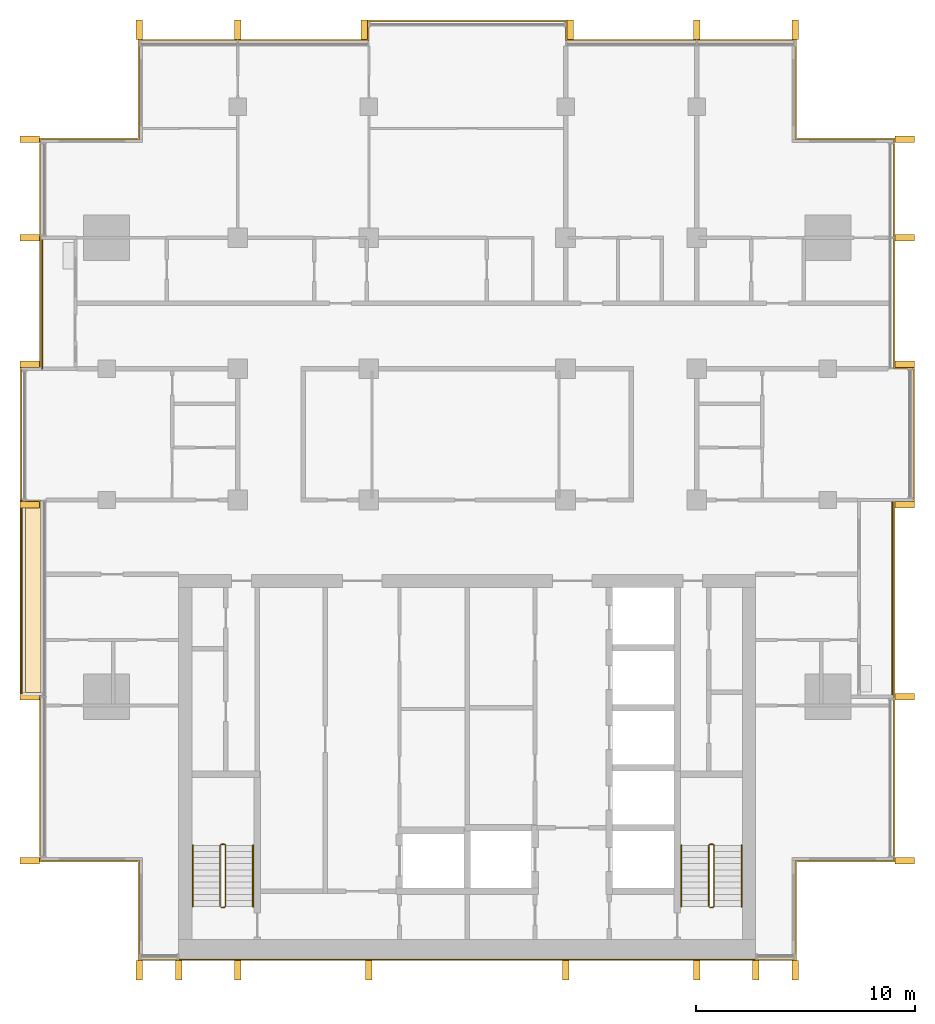
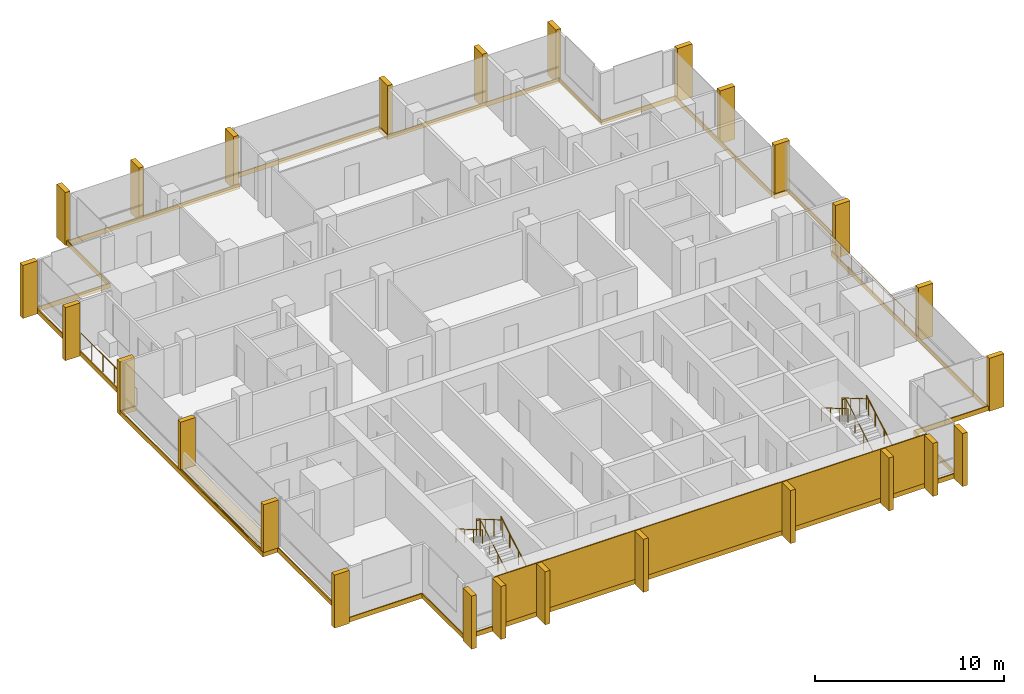
# One storey, part 16 of 16: 26 shading devices, 8 coverings, 8 railings.
"""IFC4 building model written with IfcOpenShell, lengths in metres."""

from ifc_helpers import new_model, si_unit, direction, frame, origin, origin_2d, place, context, subcontext, project, spatial, polyline, rectangle, circle, outline, extrude, material, layer, layer_set, type_object, element, save


model = new_model("IFC4")

# Units and contexts
model_context = context("Model", 3, precision=1e-05, world=origin(), true_north=direction((0.0, 1.0)))
body_context = subcontext(model_context, "Body", "Model", "MODEL_VIEW")
ifc_project = project(units=[si_unit("LENGTHUNIT", "METRE"), si_unit("AREAUNIT", "SQUARE_METRE"), si_unit("VOLUMEUNIT", "CUBIC_METRE"), si_unit("PLANEANGLEUNIT", "RADIAN"), si_unit("MASSUNIT", "GRAM", prefix="KILO")], contexts=[model_context])

# Site, building, storey
site_placement = place(None, origin())
site = spatial("IfcSite", under=ifc_project, at=site_placement, CompositionType="ELEMENT")
building_placement = place(site_placement, origin())
building = spatial("IfcBuilding", under=site, at=building_placement, Name="Finial Court Residences", CompositionType="ELEMENT")
storey_placement = place(building_placement, frame((0.0, 0.0, 244.699951171875)))
storey = spatial("IfcBuildingStorey", under=building, at=storey_placement, Name="L62", CompositionType="ELEMENT", Elevation=244.699951171875)

# Railings
ifc_material_1 = material(Name="Bronze anodised aluminium", Category="aluminium")
railing_type_1 = type_object("IfcRailingType", Name="Balcony guard 1100", PredefinedType="GUARDRAIL", material=ifc_material_1)
railing_1_placement = place(storey_placement, frame((19.449951171875, -13.5, 0.0)))
element("IfcRailing", 1, at=railing_1_placement, inside=storey, type_object=railing_type_1, Name="E-L62-BALE2-R", PredefinedType="GUARDRAIL", context=body_context, shape_type="SweptSolid", body=[
    extrude(circle(Radius=0.02392578125, at=origin_2d()), frame((0.0, 0.0, 1.076171875), z_axis=(0.0, 1.0, 0.0), x_axis=(-1.0, 0.0, 0.0)), (0.0, 0.0, 1.0), 9.0),
    extrude(circle(Radius=0.02099609375, at=origin_2d()), origin(), (0.0, 0.0, 1.0), 1.052001953125),
    extrude(circle(Radius=0.02099609375, at=origin_2d()), frame((0.0, 1.125, 0.0)), (0.0, 0.0, 1.0), 1.052001953125),
    extrude(circle(Radius=0.02099609375, at=origin_2d()), frame((0.0, 2.25, 0.0)), (0.0, 0.0, 1.0), 1.052001953125),
    extrude(circle(Radius=0.02099609375, at=origin_2d()), frame((0.0, 3.375, 0.0)), (0.0, 0.0, 1.0), 1.052001953125),
    extrude(circle(Radius=0.02099609375, at=origin_2d()), frame((0.0, 4.5, 0.0)), (0.0, 0.0, 1.0), 1.052001953125),
    extrude(circle(Radius=0.02099609375, at=origin_2d()), frame((0.0, 5.625, 0.0)), (0.0, 0.0, 1.0), 1.052001953125),
    extrude(circle(Radius=0.02099609375, at=origin_2d()), frame((0.0, 6.75, 0.0)), (0.0, 0.0, 1.0), 1.052001953125),
    extrude(circle(Radius=0.02099609375, at=origin_2d()), frame((0.0, 7.875, 0.0)), (0.0, 0.0, 1.0), 1.052001953125),
    extrude(circle(Radius=0.02099609375, at=origin_2d()), frame((0.0, 9.0, 0.0)), (0.0, 0.0, 1.0), 1.052001953125),
])
railing_2_placement = place(storey_placement, frame((-19.449951171875, 1.5, 0.0)))
element("IfcRailing", 2, at=railing_2_placement, inside=storey, type_object=railing_type_1, Name="E-L62-BALW4-R", PredefinedType="GUARDRAIL", context=body_context, shape_type="SweptSolid", body=[
    extrude(circle(Radius=0.02392578125, at=origin_2d()), frame((0.0, 0.0, 1.076171875), z_axis=(0.0, 1.0, 0.0), x_axis=(-1.0, 0.0, 0.0)), (0.0, 0.0, 1.0), 6.0),
    extrude(circle(Radius=0.02099609375, at=origin_2d()), origin(), (0.0, 0.0, 1.0), 1.052001953125),
    extrude(circle(Radius=0.02099609375, at=origin_2d()), frame((0.0, 1.199951171875, 0.0)), (0.0, 0.0, 1.0), 1.052001953125),
    extrude(circle(Radius=0.02099609375, at=origin_2d()), frame((0.0, 2.39990234375, 0.0)), (0.0, 0.0, 1.0), 1.052001953125),
    extrude(circle(Radius=0.02099609375, at=origin_2d()), frame((0.0, 3.60009765625, 0.0)), (0.0, 0.0, 1.0), 1.052001953125),
    extrude(circle(Radius=0.02099609375, at=origin_2d()), frame((0.0, 4.800048828125, 0.0)), (0.0, 0.0, 1.0), 1.052001953125),
    extrude(circle(Radius=0.02099609375, at=origin_2d()), frame((0.0, 6.0, 0.0)), (0.0, 0.0, 1.0), 1.052001953125),
])

# Coverings
ifc_material_2 = material(Name="Natural limestone", Category="masonry")
ifc_layer_1 = layer(ifc_material_2, 0.06005859375)
ifc_layer_set_1 = layer_set([ifc_layer_1], Name="Limestone cladding to the blind core face 60")
covering_type_1 = type_object("IfcCoveringType", Name="Limestone cladding to the blind core face 60", PredefinedType="CLADDING", material=ifc_layer_set_1)
covering_1_placement = place(storey_placement, origin())
element("IfcCovering", 3, at=covering_1_placement, inside=storey, type_object=covering_type_1, Name="E-L62-CLAD1", PredefinedType="CLADDING", context=body_context, shape_type="SweptSolid", body=[
    extrude(outline(polyline([(-10.5, -25.56005859375), (-10.5, -25.5), (-13.199951171875, -25.5), (-13.199951171875, -25.56005859375), (-10.5, -25.56005859375)])), origin(), (0.0, 0.0, 1.0), 3.150146484375),
])
covering_2_placement = place(storey_placement, origin())
element("IfcCovering", 4, at=covering_2_placement, inside=storey, type_object=covering_type_1, Name="E-L62-CLAD2", PredefinedType="CLADDING", context=body_context, shape_type="SweptSolid", body=[
    extrude(outline(polyline([(-4.5, -25.56005859375), (-4.5, -25.5), (-10.5, -25.5), (-10.5, -25.56005859375), (-4.5, -25.56005859375)])), origin(), (0.0, 0.0, 1.0), 3.150146484375),
])
covering_3_placement = place(storey_placement, origin())
element("IfcCovering", 5, at=covering_3_placement, inside=storey, type_object=covering_type_1, Name="E-L62-CLAD3", PredefinedType="CLADDING", context=body_context, shape_type="SweptSolid", body=[
    extrude(outline(polyline([(4.5, -25.56005859375), (4.5, -25.5), (-4.5, -25.5), (-4.5, -25.56005859375), (4.5, -25.56005859375)])), origin(), (0.0, 0.0, 1.0), 3.150146484375),
])
covering_4_placement = place(storey_placement, origin())
element("IfcCovering", 6, at=covering_4_placement, inside=storey, type_object=covering_type_1, Name="E-L62-CLAD4", PredefinedType="CLADDING", context=body_context, shape_type="SweptSolid", body=[
    extrude(outline(polyline([(10.5, -25.56005859375), (10.5, -25.5), (4.5, -25.5), (4.5, -25.56005859375), (10.5, -25.56005859375)])), origin(), (0.0, 0.0, 1.0), 3.150146484375),
])
covering_5_placement = place(storey_placement, origin())
element("IfcCovering", 7, at=covering_5_placement, inside=storey, type_object=covering_type_1, Name="E-L62-CLAD5", PredefinedType="CLADDING", context=body_context, shape_type="SweptSolid", body=[
    extrude(outline(polyline([(13.199951171875, -25.56005859375), (13.199951171875, -25.5), (10.5, -25.5), (10.5, -25.56005859375), (13.199951171875, -25.56005859375)])), origin(), (0.0, 0.0, 1.0), 3.150146484375),
])

# Shading devices
shading_device_type = type_object("IfcShadingDeviceType", Name="Limestone fin 300 x 900", PredefinedType="USERDEFINED", material=ifc_material_2)
for number, where, z_axis, x_axis, name in (
    (8, (-15.0, 17.010009765625, -0.2998046875), (0.0, 0.0, 1.0), (1.0, 0.0, 0.0), "E-L62-FIN-N1"),
    (9, (-10.5, 17.010009765625, -0.2998046875), (0.0, 0.0, 1.0), (1.0, 0.0, 0.0), "E-L62-FIN-N2"),
    (10, (-4.7099609375, 17.010009765625, -0.2998046875), (0.0, 0.0, 1.0), (1.0, 0.0, 0.0), "E-L62-FIN-N3"),
    (11, (4.7099609375, 17.010009765625, -0.2998046875), (0.0, 0.0, 1.0), (1.0, 0.0, 0.0), "E-L62-FIN-N4"),
    (12, (10.5, 17.010009765625, -0.2998046875), (0.0, 0.0, 1.0), (1.0, 0.0, 0.0), "E-L62-FIN-N5"),
    (13, (15.0, 17.010009765625, -0.2998046875), (0.0, 0.0, 1.0), (1.0, 0.0, 0.0), "E-L62-FIN-N6"),
):
    element("IfcShadingDevice", number, at=place(storey_placement, frame(where, z_axis=z_axis, x_axis=x_axis)), inside=storey, type_object=shading_device_type, Name=name, ObjectType="FIN", PredefinedType="USERDEFINED", context=body_context, shape_type="SweptSolid", body=[
        extrude(rectangle(XDim=0.300048828125, YDim=0.89990234375, at=origin_2d()), origin(), (0.0, 0.0, 1.0), 3.429931640625),
    ])
for number, where, z_axis, x_axis, name in (
    (14, (20.010009765625, -21.0, -0.2998046875), (0.0, 0.0, 1.0), (1.0, 0.0, 0.0), "E-L62-FIN-E7"),
    (15, (20.010009765625, -13.5, -0.2998046875), (0.0, 0.0, 1.0), (1.0, 0.0, 0.0), "E-L62-FIN-E8"),
    (16, (20.010009765625, -4.7099609375, -0.2998046875), (0.0, 0.0, 1.0), (1.0, 0.0, 0.0), "E-L62-FIN-E9"),
    (17, (20.010009765625, 1.7099609375, -0.2998046875), (0.0, 0.0, 1.0), (1.0, 0.0, 0.0), "E-L62-FIN-E10"),
    (18, (20.010009765625, 7.5, -0.2998046875), (0.0, 0.0, 1.0), (1.0, 0.0, 0.0), "E-L62-FIN-E11"),
    (19, (20.010009765625, 12.0, -0.2998046875), (0.0, 0.0, 1.0), (1.0, 0.0, 0.0), "E-L62-FIN-E12"),
):
    element("IfcShadingDevice", number, at=place(storey_placement, frame(where, z_axis=z_axis, x_axis=x_axis)), inside=storey, type_object=shading_device_type, Name=name, ObjectType="FIN", PredefinedType="USERDEFINED", context=body_context, shape_type="SweptSolid", body=[
        extrude(rectangle(XDim=0.89990234375, YDim=0.300048828125, at=origin_2d()), origin(), (0.0, 0.0, 1.0), 3.429931640625),
    ])
for number, where, z_axis, x_axis, name in (
    (20, (-15.0, -26.010009765625, -0.2998046875), (0.0, 0.0, 1.0), (1.0, 0.0, 0.0), "E-L62-FIN-S13"),
    (21, (-13.199951171875, -26.010009765625, -0.2998046875), (0.0, 0.0, 1.0), (1.0, 0.0, 0.0), "E-L62-FIN-S14"),
    (22, (-10.5, -26.010009765625, -0.2998046875), (0.0, 0.0, 1.0), (1.0, 0.0, 0.0), "E-L62-FIN-S15"),
    (23, (-4.5, -26.010009765625, -0.2998046875), (0.0, 0.0, 1.0), (1.0, 0.0, 0.0), "E-L62-FIN-S16"),
    (24, (4.5, -26.010009765625, -0.2998046875), (0.0, 0.0, 1.0), (1.0, 0.0, 0.0), "E-L62-FIN-S17"),
    (25, (10.5, -26.010009765625, -0.2998046875), (0.0, 0.0, 1.0), (1.0, 0.0, 0.0), "E-L62-FIN-S18"),
    (26, (13.199951171875, -26.010009765625, -0.2998046875), (0.0, 0.0, 1.0), (1.0, 0.0, 0.0), "E-L62-FIN-S19"),
    (27, (15.0, -26.010009765625, -0.2998046875), (0.0, 0.0, 1.0), (1.0, 0.0, 0.0), "E-L62-FIN-S20"),
):
    element("IfcShadingDevice", number, at=place(storey_placement, frame(where, z_axis=z_axis, x_axis=x_axis)), inside=storey, type_object=shading_device_type, Name=name, ObjectType="FIN", PredefinedType="USERDEFINED", context=body_context, shape_type="SweptSolid", body=[
        extrude(rectangle(XDim=0.300048828125, YDim=0.89990234375, at=origin_2d()), origin(), (0.0, 0.0, 1.0), 3.429931640625),
    ])
shading_device_placement = place(storey_placement, frame((-20.010009765625, -21.0, -0.2998046875), z_axis=(0.0, 0.0, 1.0), x_axis=(1.0, 0.0, 0.0)))
element("IfcShadingDevice", 28, at=shading_device_placement, inside=storey, type_object=shading_device_type, Name="E-L62-FIN-W21", ObjectType="FIN", PredefinedType="USERDEFINED", context=body_context, shape_type="SweptSolid", body=[
    extrude(rectangle(XDim=0.89990234375, YDim=0.300048828125, at=origin_2d()), origin(), (0.0, 0.0, 1.0), 3.429931640625),
])
for number, where, z_axis, x_axis, name in (
    (29, (-20.010009765625, -13.5, 0.0400390625), (0.0, 0.0, 1.0), (1.0, 0.0, 0.0), "E-L62-FIN-W22"),
    (30, (-20.010009765625, -4.7099609375, 0.0400390625), (0.0, 0.0, 1.0), (1.0, 0.0, 0.0), "E-L62-FIN-W23"),
):
    element("IfcShadingDevice", number, at=place(storey_placement, frame(where, z_axis=z_axis, x_axis=x_axis)), inside=storey, type_object=shading_device_type, Name=name, ObjectType="FIN", PredefinedType="USERDEFINED", context=body_context, shape_type="SweptSolid", body=[
        extrude(rectangle(XDim=0.89990234375, YDim=0.300048828125, at=origin_2d()), origin(), (0.0, 0.0, 1.0), 3.090087890625),
    ])
for number, where, z_axis, x_axis, name in (
    (31, (-20.010009765625, 1.7099609375, -0.2998046875), (0.0, 0.0, 1.0), (1.0, 0.0, 0.0), "E-L62-FIN-W24"),
    (32, (-20.010009765625, 7.5, -0.2998046875), (0.0, 0.0, 1.0), (1.0, 0.0, 0.0), "E-L62-FIN-W25"),
    (33, (-20.010009765625, 12.0, -0.2998046875), (0.0, 0.0, 1.0), (1.0, 0.0, 0.0), "E-L62-FIN-W26"),
):
    element("IfcShadingDevice", number, at=place(storey_placement, frame(where, z_axis=z_axis, x_axis=x_axis)), inside=storey, type_object=shading_device_type, Name=name, ObjectType="FIN", PredefinedType="USERDEFINED", context=body_context, shape_type="SweptSolid", body=[
        extrude(rectangle(XDim=0.89990234375, YDim=0.300048828125, at=origin_2d()), origin(), (0.0, 0.0, 1.0), 3.429931640625),
    ])

# Coverings
ifc_material_3 = material(Name="Pale limestone", Category="masonry")
ifc_layer_2 = layer(ifc_material_3, 0.06005859375)
ifc_layer_set_2 = layer_set([ifc_layer_2], Name="Pale limestone slab-edge band 60")
covering_type_2 = type_object("IfcCoveringType", Name="Pale limestone slab-edge band 60", PredefinedType="CLADDING", material=ifc_layer_set_2)
covering_6_placement = place(storey_placement, frame((0.0, 0.0, -0.300048828125)))
element("IfcCovering", 34, at=covering_6_placement, inside=storey, type_object=covering_type_2, Name="E-L62-BAND1", PredefinedType="CLADDING", context=body_context, shape_type="SweptSolid", body=[
    extrude(outline(polyline([(-20.4599609375, 1.56005859375), (-19.56005859375, 1.56005859375), (-19.56005859375, 12.06005859375), (-15.06005859375, 12.06005859375), (-15.06005859375, 16.56005859375), (-4.56005859375, 16.56005859375), (-4.56005859375, 17.4599609375), (4.56005859375, 17.4599609375), (4.56005859375, 16.56005859375), (15.06005859375, 16.56005859375), (15.06005859375, 12.06005859375), (19.56005859375, 12.06005859375), (19.56005859375, 1.56005859375), (20.4599609375, 1.56005859375), (20.4599609375, -4.56005859375), (19.56005859375, -4.56005859375), (19.56005859375, -21.06005859375), (15.06005859375, -21.06005859375), (15.06005859375, -25.56005859375), (-15.06005859375, -25.56005859375), (-15.06005859375, -21.06005859375), (-19.56005859375, -21.06005859375), (-19.56005859375, -13.56005859375), (-20.4599609375, -13.56005859375), (-20.4599609375, 1.56005859375)]), holes=[polyline([(-19.5, -13.5), (-19.5, -21.0), (-15.0, -21.0), (-15.0, -25.5), (15.0, -25.5), (15.0, -21.0), (19.5, -21.0), (19.5, -13.5), (19.5, -4.5), (20.39990234375, -4.5), (20.39990234375, 1.5), (19.5, 1.5), (19.5, 12.0), (15.0, 12.0), (15.0, 16.5), (4.5, 16.5), (4.5, 17.39990234375), (-4.5, 17.39990234375), (-4.5, 16.5), (-15.0, 16.5), (-15.0, 12.0), (-19.5, 12.0), (-19.5, 7.5), (-19.5, 1.5), (-20.39990234375, 1.5), (-20.39990234375, -4.5), (-20.39990234375, -13.5), (-19.5, -13.5)])]), origin(), (0.0, 0.0, 1.0), 0.300048828125),
])
ifc_material_4 = material(Name="Bitumen membrane")
ifc_layer_3 = layer(ifc_material_4, 0.0400390625)
ifc_layer_set_3 = layer_set([ifc_layer_3], Name="Push box roofing, bitumen membrane 40")
covering_type_3 = type_object("IfcCoveringType", Name="Push box roofing, bitumen membrane 40", PredefinedType="ROOFING", material=ifc_layer_set_3)
covering_7_placement = place(storey_placement, origin())
element("IfcCovering", 35, at=covering_7_placement, inside=storey, type_object=covering_type_3, Name="E-L62-LED1", PredefinedType="ROOFING", context=body_context, shape_type="SweptSolid", body=[
    extrude(outline(polyline([(-19.5, -13.300048828125), (-20.199951171875, -13.300048828125), (-20.199951171875, -4.5), (-19.5, -4.5), (-19.5, -13.300048828125)])), origin(), (0.0, 0.0, 1.0), 0.0400390625),
])
covering_8_placement = place(storey_placement, origin())
element("IfcCovering", 36, at=covering_8_placement, inside=storey, type_object=covering_type_3, Name="E-L62-LED1b", PredefinedType="ROOFING", context=body_context, shape_type="SweptSolid", body=[
    extrude(outline(polyline([(-19.5, -13.5), (-20.39990234375, -13.5), (-20.39990234375, -4.5), (-20.35009765625, -4.5), (-20.35009765625, -13.300048828125), (-20.35009765625, -13.300048828125), (-20.35009765625, -13.449951171875), (-19.5, -13.449951171875), (-19.5, -13.5)])), origin(), (0.0, 0.0, 1.0), 0.0400390625),
])

# Railings
ifc_material_5 = material(Name="Stainless steel railing", Category="steel")
railing_type_2 = type_object("IfcRailingType", Name="Stair guard 1100", PredefinedType="GUARDRAIL", material=ifc_material_5)
railing_3_placement = place(storey_placement, frame((-11.10009765625, -23.14990234375, 0.0)))
element("IfcRailing", 37, at=railing_3_placement, inside=storey, type_object=railing_type_2, Name="L62 ST-1 stair guard 1", PredefinedType="GUARDRAIL", context=body_context, shape_type="SweptSolid", body=[
    extrude(circle(Radius=0.02392578125, at=origin_2d()), frame((0.0, 0.0, 1.076171875), z_axis=(-1.0, 0.0, 0.0), x_axis=(0.0, -1.0, 0.0)), (0.0, 0.0, 1.0), 0.14990234375),
    extrude(circle(Radius=0.02392578125, at=origin_2d()), frame((-0.14990234375, 0.0, 1.076171875), z_axis=(0.760004195007, 0.189305074214, 0.621737253547), x_axis=(-0.241699205484, 0.970351222016, 0.0)), (0.0, 0.0, 1.0), 0.26318359375),
    extrude(circle(Radius=0.02392578125, at=origin_2d()), frame((0.050048828125, 0.0498046875, 1.23974609375), z_axis=(0.0, 0.863360870873, 0.504586966384), x_axis=(-1.0, 0.0, 0.0)), (0.0, 0.0, 1.0), 3.2431640625),
    extrude(circle(Radius=0.02392578125, at=origin_2d()), frame((0.050048828125, 2.849853515625, 2.8759765625), z_axis=(-0.707106781187, 0.707106781187, 0.0), x_axis=(-0.707106781187, -0.707106781187, 0.0)), (0.0, 0.0, 1.0), 0.07080078125),
    extrude(circle(Radius=0.02392578125, at=origin_2d()), frame((0.0, 2.89990234375, 2.8759765625), z_axis=(-1.0, 0.0, 0.0), x_axis=(0.0, -1.0, 0.0)), (0.0, 0.0, 1.0), 0.14990234375),
    extrude(circle(Radius=0.02392578125, at=origin_2d()), frame((-0.14990234375, 2.89990234375, 2.8759765625), z_axis=(-0.280808744504, -0.280808744504, 0.917765164963), x_axis=(0.707106781187, -0.707106781187, 0.0)), (0.0, 0.0, 1.0), 0.17822265625),
    extrude(circle(Radius=0.02392578125, at=origin_2d()), frame((-0.199951171875, 2.849853515625, 3.03955078125), z_axis=(0.0, -0.863360870873, 0.504586966384), x_axis=(1.0, 0.0, 0.0)), (0.0, 0.0, 1.0), 3.2431640625),
    extrude(circle(Radius=0.02099609375, at=origin_2d()), origin(), (0.0, 0.0, 1.0), 1.052001953125),
    extrude(circle(Radius=0.02099609375, at=origin_2d()), frame((-0.14990234375, 0.0, 0.0)), (0.0, 0.0, 1.0), 1.052001953125),
    extrude(circle(Radius=0.02099609375, at=origin_2d()), frame((0.050048828125, 0.0498046875, 0.16357421875)), (0.0, 0.0, 1.0), 1.052001953125),
    extrude(circle(Radius=0.02099609375, at=origin_2d()), frame((0.050048828125, 0.983154296875, 0.708984375)), (0.0, 0.0, 1.0), 1.052001953125),
    extrude(circle(Radius=0.02099609375, at=origin_2d()), frame((0.050048828125, 1.91650390625, 1.254638671875)), (0.0, 0.0, 1.0), 1.052001953125),
    extrude(circle(Radius=0.02099609375, at=origin_2d()), frame((0.050048828125, 2.849853515625, 1.800048828125)), (0.0, 0.0, 1.0), 1.052001953125),
    extrude(circle(Radius=0.02099609375, at=origin_2d()), frame((0.0, 2.89990234375, 1.800048828125)), (0.0, 0.0, 1.0), 1.052001953125),
    extrude(circle(Radius=0.02099609375, at=origin_2d()), frame((-0.14990234375, 2.89990234375, 1.800048828125)), (0.0, 0.0, 1.0), 1.052001953125),
    extrude(circle(Radius=0.02099609375, at=origin_2d()), frame((-0.199951171875, 2.849853515625, 1.963623046875)), (0.0, 0.0, 1.0), 1.052001953125),
    extrude(circle(Radius=0.02099609375, at=origin_2d()), frame((-0.199951171875, 1.91650390625, 2.509033203125)), (0.0, 0.0, 1.0), 1.052001953125),
    extrude(circle(Radius=0.02099609375, at=origin_2d()), frame((-0.199951171875, 0.983154296875, 3.0546875)), (0.0, 0.0, 1.0), 1.052001953125),
    extrude(circle(Radius=0.02099609375, at=origin_2d()), frame((-0.199951171875, 0.0498046875, 3.60009765625)), (0.0, 0.0, 1.0), 1.052001953125),
])
railing_4_placement = place(storey_placement, frame((11.25, -23.14990234375, 0.0)))
element("IfcRailing", 38, at=railing_4_placement, inside=storey, type_object=railing_type_2, Name="L62 ST-2 stair guard 1", PredefinedType="GUARDRAIL", context=body_context, shape_type="SweptSolid", body=[
    extrude(circle(Radius=0.02392578125, at=origin_2d()), frame((0.0, 0.0, 1.076171875), z_axis=(-1.0, 0.0, 0.0), x_axis=(0.0, -1.0, 0.0)), (0.0, 0.0, 1.0), 0.14990234375),
    extrude(circle(Radius=0.02392578125, at=origin_2d()), frame((-0.14990234375, 0.0, 1.076171875), z_axis=(0.760004195007, 0.189305074214, 0.621737253547), x_axis=(-0.241699205484, 0.970351222016, 0.0)), (0.0, 0.0, 1.0), 0.26318359375),
    extrude(circle(Radius=0.02392578125, at=origin_2d()), frame((0.050048828125, 0.0498046875, 1.23974609375), z_axis=(0.0, 0.863360870873, 0.504586966384), x_axis=(-1.0, 0.0, 0.0)), (0.0, 0.0, 1.0), 3.2431640625),
    extrude(circle(Radius=0.02392578125, at=origin_2d()), frame((0.050048828125, 2.849853515625, 2.8759765625), z_axis=(-0.707106781187, 0.707106781187, 0.0), x_axis=(-0.707106781187, -0.707106781187, 0.0)), (0.0, 0.0, 1.0), 0.07080078125),
    extrude(circle(Radius=0.02392578125, at=origin_2d()), frame((0.0, 2.89990234375, 2.8759765625), z_axis=(-1.0, 0.0, 0.0), x_axis=(0.0, -1.0, 0.0)), (0.0, 0.0, 1.0), 0.14990234375),
    extrude(circle(Radius=0.02392578125, at=origin_2d()), frame((-0.14990234375, 2.89990234375, 2.8759765625), z_axis=(-0.280808744504, -0.280808744504, 0.917765164963), x_axis=(0.707106781187, -0.707106781187, 0.0)), (0.0, 0.0, 1.0), 0.17822265625),
    extrude(circle(Radius=0.02392578125, at=origin_2d()), frame((-0.199951171875, 2.849853515625, 3.03955078125), z_axis=(0.0, -0.863360870873, 0.504586966384), x_axis=(1.0, 0.0, 0.0)), (0.0, 0.0, 1.0), 3.2431640625),
    extrude(circle(Radius=0.02099609375, at=origin_2d()), origin(), (0.0, 0.0, 1.0), 1.052001953125),
    extrude(circle(Radius=0.02099609375, at=origin_2d()), frame((-0.14990234375, 0.0, 0.0)), (0.0, 0.0, 1.0), 1.052001953125),
    extrude(circle(Radius=0.02099609375, at=origin_2d()), frame((0.050048828125, 0.0498046875, 0.16357421875)), (0.0, 0.0, 1.0), 1.052001953125),
    extrude(circle(Radius=0.02099609375, at=origin_2d()), frame((0.050048828125, 0.983154296875, 0.708984375)), (0.0, 0.0, 1.0), 1.052001953125),
    extrude(circle(Radius=0.02099609375, at=origin_2d()), frame((0.050048828125, 1.91650390625, 1.254638671875)), (0.0, 0.0, 1.0), 1.052001953125),
    extrude(circle(Radius=0.02099609375, at=origin_2d()), frame((0.050048828125, 2.849853515625, 1.800048828125)), (0.0, 0.0, 1.0), 1.052001953125),
    extrude(circle(Radius=0.02099609375, at=origin_2d()), frame((0.0, 2.89990234375, 1.800048828125)), (0.0, 0.0, 1.0), 1.052001953125),
    extrude(circle(Radius=0.02099609375, at=origin_2d()), frame((-0.14990234375, 2.89990234375, 1.800048828125)), (0.0, 0.0, 1.0), 1.052001953125),
    extrude(circle(Radius=0.02099609375, at=origin_2d()), frame((-0.199951171875, 2.849853515625, 1.963623046875)), (0.0, 0.0, 1.0), 1.052001953125),
    extrude(circle(Radius=0.02099609375, at=origin_2d()), frame((-0.199951171875, 1.91650390625, 2.509033203125)), (0.0, 0.0, 1.0), 1.052001953125),
    extrude(circle(Radius=0.02099609375, at=origin_2d()), frame((-0.199951171875, 0.983154296875, 3.0546875)), (0.0, 0.0, 1.0), 1.052001953125),
    extrude(circle(Radius=0.02099609375, at=origin_2d()), frame((-0.199951171875, 0.0498046875, 3.60009765625)), (0.0, 0.0, 1.0), 1.052001953125),
])
railing_type_3 = type_object("IfcRailingType", Name="Stair handrail 900", PredefinedType="HANDRAIL", material=ifc_material_5)
railing_5_placement = place(storey_placement, frame((-9.800048828125, -23.10009765625, 0.16357421875)))
element("IfcRailing", 39, at=railing_5_placement, inside=storey, type_object=railing_type_3, Name="L62 ST-1 stair handrail 1", PredefinedType="HANDRAIL", context=body_context, shape_type="SweptSolid", body=[
    extrude(circle(Radius=0.02392578125, at=origin_2d()), frame((0.0, 0.0, 0.8759765625), z_axis=(0.0, 0.863360870873, 0.504586966384), x_axis=(-1.0, 0.0, 0.0)), (0.0, 0.0, 1.0), 3.2431640625),
    extrude(circle(Radius=0.02099609375, at=origin_2d()), origin(), (0.0, 0.0, 1.0), 0.851806640625),
    extrude(circle(Radius=0.02099609375, at=origin_2d()), frame((0.0, 0.933349609375, 0.54541015625)), (0.0, 0.0, 1.0), 0.851806640625),
    extrude(circle(Radius=0.02099609375, at=origin_2d()), frame((0.0, 1.86669921875, 1.091064453125)), (0.0, 0.0, 1.0), 0.851806640625),
    extrude(circle(Radius=0.02099609375, at=origin_2d()), frame((0.0, 2.800048828125, 1.636474609375)), (0.0, 0.0, 1.0), 0.851806640625),
])
railing_6_placement = place(storey_placement, frame((-12.550048828125, -20.300048828125, 1.963623046875)))
element("IfcRailing", 40, at=railing_6_placement, inside=storey, type_object=railing_type_3, Name="L62 ST-1 stair handrail 2", PredefinedType="HANDRAIL", context=body_context, shape_type="SweptSolid", body=[
    extrude(circle(Radius=0.02392578125, at=origin_2d()), frame((0.0, 0.0, 0.8759765625), z_axis=(0.0, -0.863360870873, 0.504586966384), x_axis=(1.0, 0.0, 0.0)), (0.0, 0.0, 1.0), 3.2431640625),
    extrude(circle(Radius=0.02099609375, at=origin_2d()), origin(), (0.0, 0.0, 1.0), 0.851806640625),
    extrude(circle(Radius=0.02099609375, at=origin_2d()), frame((0.0, -0.933349609375, 0.54541015625)), (0.0, 0.0, 1.0), 0.851806640625),
    extrude(circle(Radius=0.02099609375, at=origin_2d()), frame((0.0, -1.86669921875, 1.091064453125)), (0.0, 0.0, 1.0), 0.851806640625),
    extrude(circle(Radius=0.02099609375, at=origin_2d()), frame((0.0, -2.800048828125, 1.636474609375)), (0.0, 0.0, 1.0), 0.851806640625),
])
railing_7_placement = place(storey_placement, frame((12.550048828125, -23.10009765625, 0.16357421875)))
element("IfcRailing", 41, at=railing_7_placement, inside=storey, type_object=railing_type_3, Name="L62 ST-2 stair handrail 1", PredefinedType="HANDRAIL", context=body_context, shape_type="SweptSolid", body=[
    extrude(circle(Radius=0.02392578125, at=origin_2d()), frame((0.0, 0.0, 0.8759765625), z_axis=(0.0, 0.863360870873, 0.504586966384), x_axis=(-1.0, 0.0, 0.0)), (0.0, 0.0, 1.0), 3.2431640625),
    extrude(circle(Radius=0.02099609375, at=origin_2d()), origin(), (0.0, 0.0, 1.0), 0.851806640625),
    extrude(circle(Radius=0.02099609375, at=origin_2d()), frame((0.0, 0.933349609375, 0.54541015625)), (0.0, 0.0, 1.0), 0.851806640625),
    extrude(circle(Radius=0.02099609375, at=origin_2d()), frame((0.0, 1.86669921875, 1.091064453125)), (0.0, 0.0, 1.0), 0.851806640625),
    extrude(circle(Radius=0.02099609375, at=origin_2d()), frame((0.0, 2.800048828125, 1.636474609375)), (0.0, 0.0, 1.0), 0.851806640625),
])
railing_8_placement = place(storey_placement, frame((9.800048828125, -20.300048828125, 1.963623046875)))
element("IfcRailing", 42, at=railing_8_placement, inside=storey, type_object=railing_type_3, Name="L62 ST-2 stair handrail 2", PredefinedType="HANDRAIL", context=body_context, shape_type="SweptSolid", body=[
    extrude(circle(Radius=0.02392578125, at=origin_2d()), frame((0.0, 0.0, 0.8759765625), z_axis=(0.0, -0.863360870873, 0.504586966384), x_axis=(1.0, 0.0, 0.0)), (0.0, 0.0, 1.0), 3.2431640625),
    extrude(circle(Radius=0.02099609375, at=origin_2d()), origin(), (0.0, 0.0, 1.0), 0.851806640625),
    extrude(circle(Radius=0.02099609375, at=origin_2d()), frame((0.0, -0.933349609375, 0.54541015625)), (0.0, 0.0, 1.0), 0.851806640625),
    extrude(circle(Radius=0.02099609375, at=origin_2d()), frame((0.0, -1.86669921875, 1.091064453125)), (0.0, 0.0, 1.0), 0.851806640625),
    extrude(circle(Radius=0.02099609375, at=origin_2d()), frame((0.0, -2.800048828125, 1.636474609375)), (0.0, 0.0, 1.0), 0.851806640625),
])

save(model, "model.ifc")
